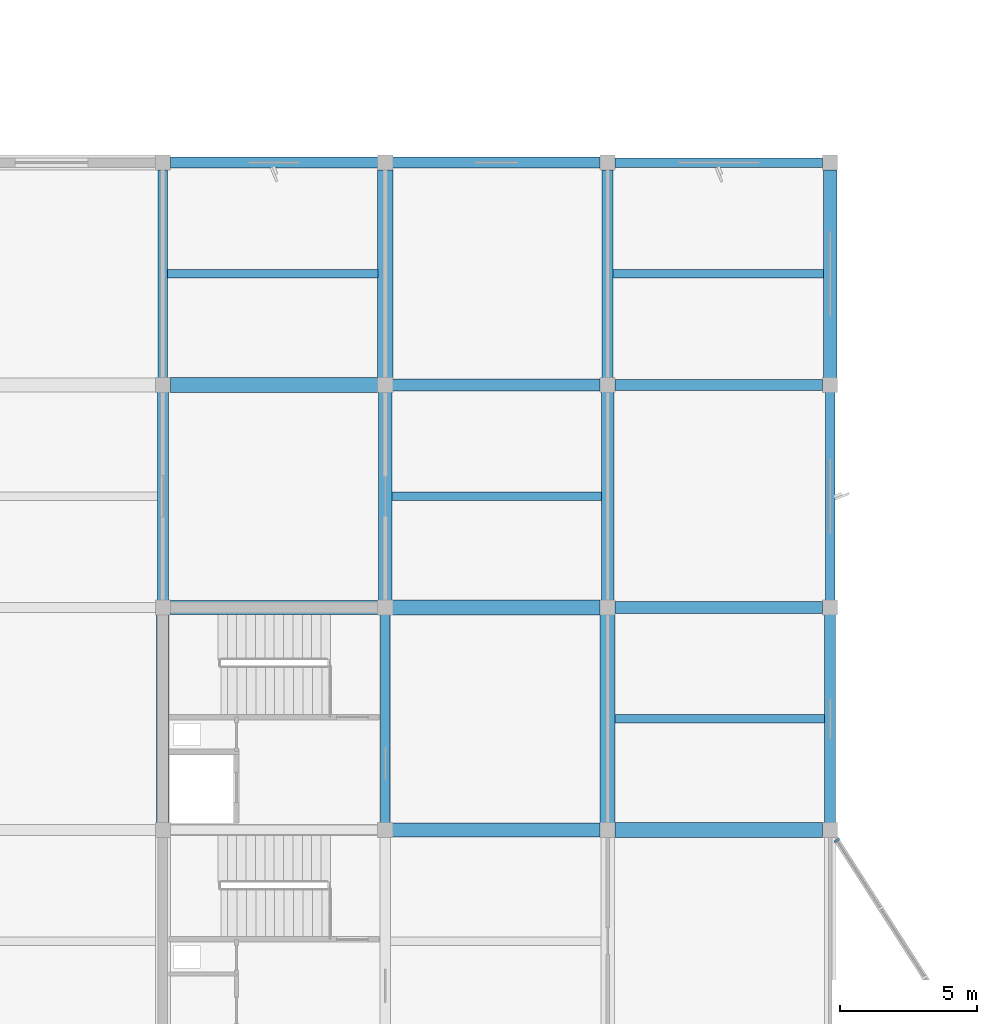
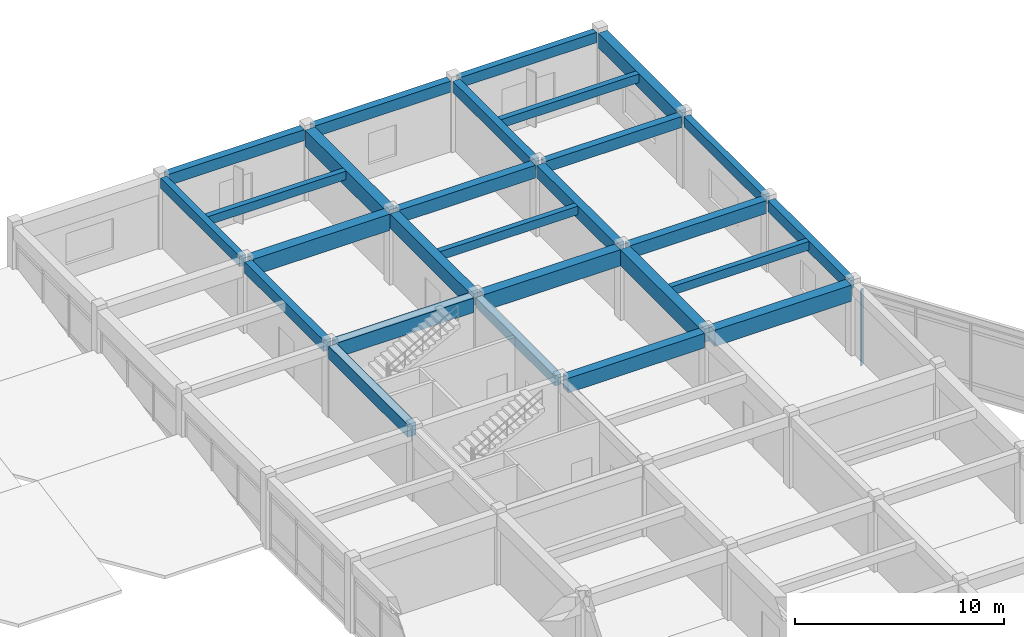
# One storey, part 21 of 33: 27 beams, 1 member, 1 element without a shape of its own.
"""IFC4 building model written with IfcOpenShell, lengths in metres."""

from ifc_helpers import new_model, si_unit, direction, frame, origin, origin_2d, place, context, subcontext, project, spatial, rectangle, extrude, material, layer, layer_set, material_profile, profile_set, type_object, element, aggregate, save


model = new_model("IFC4")

# Units and contexts
model_context = context("Model", 3, precision=1e-05, world=origin(), true_north=direction((0.0, 1.0)))
body_context = subcontext(model_context, "Body", "Model", "MODEL_VIEW")
ifc_project = project(units=[si_unit("LENGTHUNIT", "METRE"), si_unit("AREAUNIT", "SQUARE_METRE"), si_unit("VOLUMEUNIT", "CUBIC_METRE"), si_unit("PLANEANGLEUNIT", "RADIAN"), si_unit("MASSUNIT", "GRAM", prefix="KILO")], contexts=[model_context])

# Site, building, storey
site_placement = place(None, origin())
site = spatial("IfcSite", under=ifc_project, at=site_placement, CompositionType="ELEMENT")
building_placement = place(site_placement, origin())
building = spatial("IfcBuilding", under=site, at=building_placement, Name="Vaudrelin Polytechnic", CompositionType="ELEMENT")
storey_placement = place(building_placement, frame((0.0, 0.0, 27.3701171875)))
storey = spatial("IfcBuildingStorey", under=building, at=storey_placement, Name="L06", CompositionType="ELEMENT", Elevation=27.3701171875)

# Beams
ifc_material_1 = material(Name="Concrete 40 MPa", Category="concrete")
ifc_material_profile_1 = material_profile(ifc_material_1, rectangle(XDim=0.35009765625, YDim=0.60009765625, at=origin_2d()), Name="RC350x600")
ifc_profile_set_1 = profile_set([ifc_material_profile_1], Name="Concrete 40 MPa")
beam_type_1 = type_object("IfcBeamType", Name="BM-BM-RC3560", PredefinedType="BEAM", material=ifc_profile_set_1)
for number, where, z_axis, x_axis, name in (
    (1, (145.800048828125, 113.659912109375, 3.85986328125), (0.0, 1.0, 0.0), (-1.0, 0.0, 0.0), "L06 Y-beam 19-15"),
    (2, (153.89990234375, 97.4599609375, 3.85986328125), (0.0, 1.0, 0.0), (-1.0, 0.0, 0.0), "L06 Y-beam 20-13"),
):
    element("IfcBeam", number, at=place(storey_placement, frame(where, z_axis=z_axis, x_axis=x_axis)), inside=storey, type_object=beam_type_1, Name=name, PredefinedType="BEAM", context=body_context, shape_type="SweptSolid", body=[
        extrude(rectangle(XDim=0.35009765625, YDim=0.60009765625, at=origin_2d()), origin(), (0.0, 0.0, 1.0), 7.580078125),
    ])
beam_1_placement = place(storey_placement, frame((170.10009765625, 105.56005859375, 3.85986328125), z_axis=(0.0, 1.0, 0.0), x_axis=(-1.0, 0.0, 0.0)))
element("IfcBeam", 3, at=beam_1_placement, inside=storey, type_object=beam_type_1, Name="L06 Y-beam 22-14", PredefinedType="BEAM", context=body_context, shape_type="SweptSolid", body=[
    extrude(rectangle(XDim=0.35009765625, YDim=0.60009765625, at=origin_2d()), origin(), (0.0, 0.0, 1.0), 7.579833984375),
])
beam_2_placement = place(storey_placement, frame((162.27099609375, 121.5, 3.85986328125), z_axis=(1.0, 0.0, 0.0), x_axis=(0.0, 1.0, 0.0)))
element("IfcBeam", 4, at=beam_2_placement, inside=storey, type_object=beam_type_1, Name="L06 X-beam 21-16", PredefinedType="BEAM", context=body_context, shape_type="SweptSolid", body=[
    extrude(rectangle(XDim=0.35009765625, YDim=0.60009765625, at=origin_2d()), origin(), (0.0, 0.0, 1.0), 7.55810546875),
])
ifc_material_profile_2 = material_profile(ifc_material_1, rectangle(XDim=0.39990234375, YDim=0.64990234375, at=origin_2d()), Name="RC400x650")
ifc_profile_set_2 = profile_set([ifc_material_profile_2], Name="Concrete 40 MPa")
beam_type_2 = type_object("IfcBeamType", Name="BM-BM-RC4065", PredefinedType="BEAM", material=ifc_profile_set_2)
beam_3_placement = place(storey_placement, frame((145.800048828125, 105.56005859375, 3.8349609375), z_axis=(0.0, 1.0, 0.0), x_axis=(-1.0, 0.0, 0.0)))
element("IfcBeam", 5, at=beam_3_placement, inside=storey, type_object=beam_type_2, Name="L06 Y-beam 19-14", PredefinedType="BEAM", context=body_context, shape_type="SweptSolid", body=[
    extrude(rectangle(XDim=0.39990234375, YDim=0.64990234375, at=origin_2d()), origin(), (0.0, 0.0, 1.0), 7.579833984375),
])
for number, where, z_axis, x_axis, name in (
    (6, (162.0, 113.659912109375, 3.8349609375), (0.0, 1.0, 0.0), (-1.0, 0.0, 0.0), "L06 Y-beam 21-15"),
    (7, (170.10009765625, 97.4599609375, 3.8349609375), (0.0, 1.0, 0.0), (-1.0, 0.0, 0.0), "L06 Y-beam 22-13"),
):
    element("IfcBeam", number, at=place(storey_placement, frame(where, z_axis=z_axis, x_axis=x_axis)), inside=storey, type_object=beam_type_2, Name=name, PredefinedType="BEAM", context=body_context, shape_type="SweptSolid", body=[
        extrude(rectangle(XDim=0.39990234375, YDim=0.64990234375, at=origin_2d()), origin(), (0.0, 0.0, 1.0), 7.580078125),
    ])
for number, where, z_axis, x_axis, name in (
    (8, (154.1708984375, 121.5, 3.8349609375), (1.0, 0.0, 0.0), (0.0, 1.0, 0.0), "L06 X-beam 20-16"),
    (9, (162.27099609375, 113.39990234375, 3.8349609375), (1.0, 0.0, 0.0), (0.0, 1.0, 0.0), "L06 X-beam 21-15"),
):
    element("IfcBeam", number, at=place(storey_placement, frame(where, z_axis=z_axis, x_axis=x_axis)), inside=storey, type_object=beam_type_2, Name=name, PredefinedType="BEAM", context=body_context, shape_type="SweptSolid", body=[
        extrude(rectangle(XDim=0.39990234375, YDim=0.64990234375, at=origin_2d()), origin(), (0.0, 0.0, 1.0), 7.55810546875),
    ])
ifc_material_profile_3 = material_profile(ifc_material_1, rectangle(XDim=0.449951171875, YDim=0.75, at=origin_2d()), Name="RC450x750")
ifc_profile_set_3 = profile_set([ifc_material_profile_3], Name="Concrete 40 MPa")
beam_type_3 = type_object("IfcBeamType", Name="BM-BM-RC4575", PredefinedType="BEAM", material=ifc_profile_set_3)
beam_4_placement = place(storey_placement, frame((145.800048828125, 97.4599609375, 3.784912109375), z_axis=(0.0, 1.0, 0.0), x_axis=(-1.0, 0.0, 0.0)))
element("IfcBeam", 10, at=beam_4_placement, inside=storey, type_object=beam_type_3, Name="L06 Y-beam 19-13", PredefinedType="BEAM", context=body_context, shape_type="SweptSolid", body=[
    extrude(rectangle(XDim=0.449951171875, YDim=0.75, at=origin_2d()), origin(), (0.0, 0.0, 1.0), 7.580078125),
])
beam_5_placement = place(storey_placement, frame((162.0, 105.56005859375, 3.784912109375), z_axis=(0.0, 1.0, 0.0), x_axis=(-1.0, 0.0, 0.0)))
element("IfcBeam", 11, at=beam_5_placement, inside=storey, type_object=beam_type_3, Name="L06 Y-beam 21-14", PredefinedType="BEAM", context=body_context, shape_type="SweptSolid", body=[
    extrude(rectangle(XDim=0.449951171875, YDim=0.75, at=origin_2d()), origin(), (0.0, 0.0, 1.0), 7.579833984375),
])
for number, where, z_axis, x_axis, name in (
    (12, (154.1708984375, 113.39990234375, 3.784912109375), (1.0, 0.0, 0.0), (0.0, 1.0, 0.0), "L06 X-beam 20-15"),
    (13, (162.27099609375, 105.300048828125, 3.784912109375), (1.0, 0.0, 0.0), (0.0, 1.0, 0.0), "L06 X-beam 21-14"),
):
    element("IfcBeam", number, at=place(storey_placement, frame(where, z_axis=z_axis, x_axis=x_axis)), inside=storey, type_object=beam_type_3, Name=name, PredefinedType="BEAM", context=body_context, shape_type="SweptSolid", body=[
        extrude(rectangle(XDim=0.449951171875, YDim=0.75, at=origin_2d()), origin(), (0.0, 0.0, 1.0), 7.55810546875),
    ])
ifc_material_profile_4 = material_profile(ifc_material_1, rectangle(XDim=0.5, YDim=0.85009765625, at=origin_2d()), Name="RC500x850")
ifc_profile_set_4 = profile_set([ifc_material_profile_4], Name="Concrete 40 MPa")
beam_type_4 = type_object("IfcBeamType", Name="BM-BM-RC5085", PredefinedType="BEAM", material=ifc_profile_set_4)
beam_6_placement = place(storey_placement, frame((153.89990234375, 105.56005859375, 3.73486328125), z_axis=(0.0, 1.0, 0.0), x_axis=(-1.0, 0.0, 0.0)))
element("IfcBeam", 14, at=beam_6_placement, inside=storey, type_object=beam_type_4, Name="L06 Y-beam 20-14", PredefinedType="BEAM", context=body_context, shape_type="SweptSolid", body=[
    extrude(rectangle(XDim=0.5, YDim=0.85009765625, at=origin_2d()), origin(), (0.0, 0.0, 1.0), 7.579833984375),
])
beam_7_placement = place(storey_placement, frame((170.10009765625, 113.659912109375, 3.73486328125), z_axis=(0.0, 1.0, 0.0), x_axis=(-1.0, 0.0, 0.0)))
element("IfcBeam", 15, at=beam_7_placement, inside=storey, type_object=beam_type_4, Name="L06 Y-beam 22-15", PredefinedType="BEAM", context=body_context, shape_type="SweptSolid", body=[
    extrude(rectangle(XDim=0.5, YDim=0.85009765625, at=origin_2d()), origin(), (0.0, 0.0, 1.0), 7.580078125),
])
beam_8_placement = place(storey_placement, frame((146.071044921875, 105.300048828125, 3.73486328125), z_axis=(1.0, 0.0, 0.0), x_axis=(0.0, 1.0, 0.0)))
element("IfcBeam", 16, at=beam_8_placement, inside=storey, type_object=beam_type_4, Name="L06 X-beam 19-14", PredefinedType="BEAM", context=body_context, shape_type="SweptSolid", body=[
    extrude(rectangle(XDim=0.5, YDim=0.85009765625, at=origin_2d()), origin(), (0.0, 0.0, 1.0), 7.557861328125),
])
beam_9_placement = place(storey_placement, frame((154.1708984375, 97.199951171875, 3.73486328125), z_axis=(1.0, 0.0, 0.0), x_axis=(0.0, 1.0, 0.0)))
element("IfcBeam", 17, at=beam_9_placement, inside=storey, type_object=beam_type_4, Name="L06 X-beam 20-13", PredefinedType="BEAM", context=body_context, shape_type="SweptSolid", body=[
    extrude(rectangle(XDim=0.5, YDim=0.85009765625, at=origin_2d()), origin(), (0.0, 0.0, 1.0), 7.55810546875),
])
ifc_material_2 = material(Name="Concrete 50 MPa", Category="concrete")
ifc_material_profile_5 = material_profile(ifc_material_2, rectangle(XDim=0.550048828125, YDim=0.949951171875, at=origin_2d()), Name="RC550x950")
ifc_profile_set_5 = profile_set([ifc_material_profile_5], Name="Concrete 50 MPa")
beam_type_5 = type_object("IfcBeamType", Name="BM-BM-RC5595", PredefinedType="BEAM", material=ifc_profile_set_5)
for number, where, z_axis, x_axis, name in (
    (18, (153.89990234375, 113.659912109375, 3.684814453125), (0.0, 1.0, 0.0), (-1.0, 0.0, 0.0), "L06 Y-beam 20-15"),
    (19, (162.0, 97.4599609375, 3.684814453125), (0.0, 1.0, 0.0), (-1.0, 0.0, 0.0), "L06 Y-beam 21-13"),
):
    element("IfcBeam", number, at=place(storey_placement, frame(where, z_axis=z_axis, x_axis=x_axis)), inside=storey, type_object=beam_type_5, Name=name, PredefinedType="BEAM", context=body_context, shape_type="SweptSolid", body=[
        extrude(rectangle(XDim=0.550048828125, YDim=0.949951171875, at=origin_2d()), origin(), (0.0, 0.0, 1.0), 7.580078125),
    ])
beam_10_placement = place(storey_placement, frame((146.071044921875, 113.39990234375, 3.684814453125), z_axis=(1.0, 0.0, 0.0), x_axis=(0.0, 1.0, 0.0)))
element("IfcBeam", 20, at=beam_10_placement, inside=storey, type_object=beam_type_5, Name="L06 X-beam 19-15", PredefinedType="BEAM", context=body_context, shape_type="SweptSolid", body=[
    extrude(rectangle(XDim=0.550048828125, YDim=0.949951171875, at=origin_2d()), origin(), (0.0, 0.0, 1.0), 7.557861328125),
])
for number, where, z_axis, x_axis, name in (
    (21, (154.1708984375, 105.300048828125, 3.684814453125), (1.0, 0.0, 0.0), (0.0, 1.0, 0.0), "L06 X-beam 20-14"),
    (22, (162.27099609375, 97.199951171875, 3.684814453125), (1.0, 0.0, 0.0), (0.0, 1.0, 0.0), "L06 X-beam 21-13"),
):
    element("IfcBeam", number, at=place(storey_placement, frame(where, z_axis=z_axis, x_axis=x_axis)), inside=storey, type_object=beam_type_5, Name=name, PredefinedType="BEAM", context=body_context, shape_type="SweptSolid", body=[
        extrude(rectangle(XDim=0.550048828125, YDim=0.949951171875, at=origin_2d()), origin(), (0.0, 0.0, 1.0), 7.55810546875),
    ])
ifc_material_profile_6 = material_profile(ifc_material_1, rectangle(XDim=0.300048828125, YDim=0.5, at=origin_2d()), Name="RC300x500")
ifc_profile_set_6 = profile_set([ifc_material_profile_6], Name="Concrete 40 MPa")
beam_type_6 = type_object("IfcBeamType", Name="BM-JS-RC3050", PredefinedType="JOIST", material=ifc_profile_set_6)
beam_11_placement = place(storey_placement, frame((145.970947265625, 117.449951171875, 3.909912109375), z_axis=(1.0, 0.0, 0.0), x_axis=(0.0, 1.0, 0.0)))
element("IfcBeam", 23, at=beam_11_placement, inside=storey, type_object=beam_type_6, Name="L06 floor joist 19-15", PredefinedType="JOIST", context=body_context, shape_type="SweptSolid", body=[
    extrude(rectangle(XDim=0.300048828125, YDim=0.5, at=origin_2d()), origin(), (0.0, 0.0, 1.0), 7.657958984375),
])
for number, where, z_axis, x_axis, name in (
    (24, (154.14599609375, 109.35009765625, 3.909912109375), (1.0, 0.0, 0.0), (0.0, 1.0, 0.0), "L06 floor joist 20-14"),
    (25, (162.27099609375, 101.25, 3.909912109375), (1.0, 0.0, 0.0), (0.0, 1.0, 0.0), "L06 floor joist 21-13"),
):
    element("IfcBeam", number, at=place(storey_placement, frame(where, z_axis=z_axis, x_axis=x_axis)), inside=storey, type_object=beam_type_6, Name=name, PredefinedType="JOIST", context=body_context, shape_type="SweptSolid", body=[
        extrude(rectangle(XDim=0.300048828125, YDim=0.5, at=origin_2d()), origin(), (0.0, 0.0, 1.0), 7.633056640625),
    ])
beam_12_placement = place(storey_placement, frame((162.196044921875, 117.449951171875, 3.909912109375), z_axis=(1.0, 0.0, 0.0), x_axis=(0.0, 1.0, 0.0)))
element("IfcBeam", 26, at=beam_12_placement, inside=storey, type_object=beam_type_6, Name="L06 floor joist 21-15", PredefinedType="JOIST", context=body_context, shape_type="SweptSolid", body=[
    extrude(rectangle(XDim=0.300048828125, YDim=0.5, at=origin_2d()), origin(), (0.0, 0.0, 1.0), 7.657958984375),
])
ifc_material_profile_7 = material_profile(ifc_material_1, rectangle(XDim=0.39990234375, YDim=0.64990234375, at=origin_2d()), Name="RC400x650")
ifc_profile_set_7 = profile_set([ifc_material_profile_7], Name="Concrete 40 MPa")
beam_type_7 = type_object("IfcBeamType", Name="BM-SP-RC4065", PredefinedType="SPANDREL", material=ifc_profile_set_7)
beam_13_placement = place(storey_placement, frame((146.071044921875, 121.5, 3.8349609375), z_axis=(1.0, 0.0, 0.0), x_axis=(0.0, 1.0, 0.0)))
element("IfcBeam", 27, at=beam_13_placement, inside=storey, type_object=beam_type_7, Name="L06 X-beam 19-16", PredefinedType="SPANDREL", context=body_context, shape_type="SweptSolid", body=[
    extrude(rectangle(XDim=0.39990234375, YDim=0.64990234375, at=origin_2d()), origin(), (0.0, 0.0, 1.0), 7.557861328125),
])

# Curtain wall, member
ifc_material_3 = material(Name="Thermally broken anodised aluminium AA 6063-T6 and low-e triple glazing", Category="aluminium")
ifc_layer = layer(ifc_material_3, 0.199951171875)
ifc_layer_set = layer_set([ifc_layer], Name="Thermally broken anodised aluminium AA 6063-T6 and low-e triple glazing")
curtain_wall_type = type_object("IfcCurtainWallType", Name="CW-CW-LAB", PredefinedType="USERDEFINED", material=ifc_layer_set)
curtain_wall_placement = place(storey_placement, origin())
curtain_wall = element("IfcCurtainWall", 28, at=curtain_wall_placement, inside=storey, type_object=curtain_wall_type, Name="Curtain wall L06 E_OR2_3_0", ObjectType="CURTAIN WALL", PredefinedType="USERDEFINED")
ifc_material_4 = material(Name="Anodised aluminium AA 6063-T6", Category="aluminium")
ifc_material_profile_8 = material_profile(ifc_material_4, rectangle(XDim=0.074951171875, YDim=0.219970703125, at=origin_2d()), Name="CWM-75x220")
ifc_profile_set_8 = profile_set([ifc_material_profile_8], Name="Anodised aluminium AA 6063-T6")
member_type = type_object("IfcMemberType", Name="MEM-CWM-220", PredefinedType="MULLION", material=ifc_profile_set_8)
member_placement = place(storey_placement, frame((170.343994140625, 96.81982421875, -0.630126953125), z_axis=(0.0, 0.0, 1.0), x_axis=(-0.540228204344, 0.841518560242, 0.0)))
member = element("IfcMember", 29, at=member_placement, type_object=member_type, Name="E_OR2_3_0 mullion 4", PredefinedType="MULLION", context=body_context, shape_type="SweptSolid", body=[
    extrude(rectangle(XDim=0.074951171875, YDim=0.219970703125, at=origin_2d()), origin(), (0.0, 0.0, 1.0), 4.43994140625),
])
aggregate(curtain_wall, [member])

save(model, "model.ifc")
